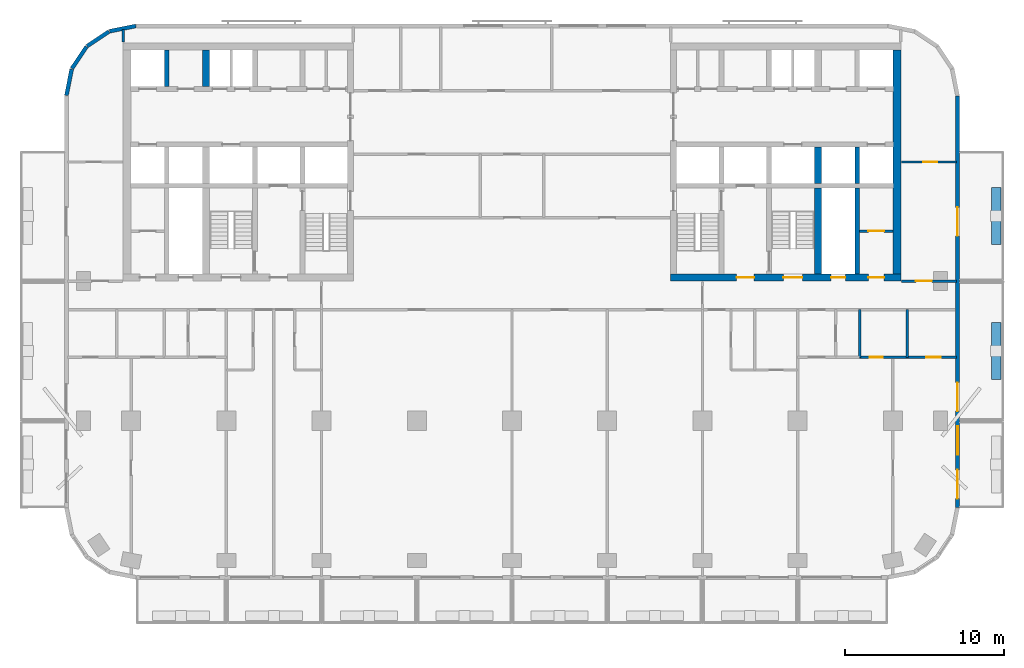
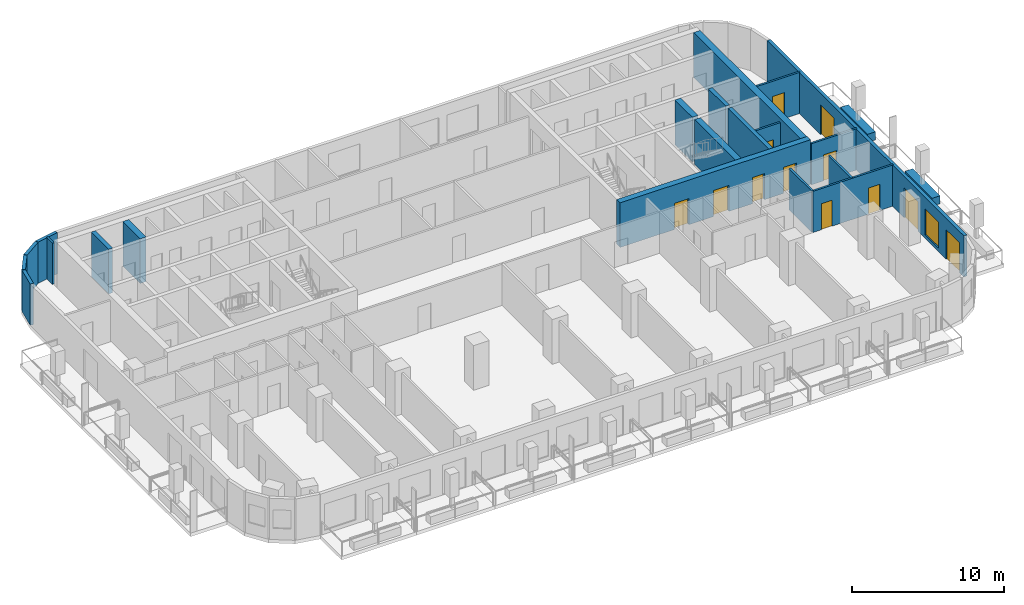
# One storey, part 6 of 12: 22 walls, 12 doors, 1 window, 13 openings.
"""IFC4 building model written with IfcOpenShell, lengths in metres."""

from ifc_helpers import new_model, si_unit, direction, frame, frame_2d, origin, place, context, subcontext, project, spatial, rectangle, extrude, material, layer, layer_set, type_object, element, fill, save


model = new_model("IFC4")

# Units and contexts
model_context = context("Model", 3, precision=1e-05, world=origin(), true_north=direction((0.0, 1.0)))
body_context = subcontext(model_context, "Body", "Model", "MODEL_VIEW")
ifc_project = project(units=[si_unit("LENGTHUNIT", "METRE"), si_unit("AREAUNIT", "SQUARE_METRE"), si_unit("VOLUMEUNIT", "CUBIC_METRE"), si_unit("PLANEANGLEUNIT", "RADIAN"), si_unit("MASSUNIT", "GRAM", prefix="KILO")], contexts=[model_context])

# Site, building, storey
site_placement = place(None, origin())
site = spatial("IfcSite", under=ifc_project, at=site_placement, CompositionType="ELEMENT")
building_placement = place(site_placement, origin())
building = spatial("IfcBuilding", under=site, at=building_placement, Name="Torana Hotel and Residences", CompositionType="ELEMENT")
storey_placement = place(building_placement, frame((0.0, 0.0, 112.800048828125)))
storey = spatial("IfcBuildingStorey", under=building, at=storey_placement, Name="L28", CompositionType="ELEMENT", Elevation=112.800048828125)

# Walls
ifc_material_1 = material(Name="Concrete C70/85", Category="concrete")
ifc_layer_1 = layer(ifc_material_1, 0.300048828125)
ifc_layer_set_1 = layer_set([ifc_layer_1], Name="CORE WALL 300 C70/85")
wall_type_1 = type_object("IfcWallType", Name="CORE WALL 300 C70/85", PredefinedType="SHEAR", material=ifc_layer_set_1)
for number, where, z_axis, x_axis, name in (
    (1, (-21.75, -2.75, 0.0), (0.0, 0.0, 1.0), (0.0, 1.0, 0.0), "Core wall W mm-N"),
    (2, (21.75, -8.85009765625, 0.0), (0.0, 0.0, 1.0), (0.0, 1.0, 0.0), "Core wall E mm-S"),
):
    element("IfcWall", number, at=place(storey_placement, frame(where, z_axis=z_axis, x_axis=x_axis)), inside=storey, type_object=wall_type_1, Name=name, PredefinedType="SHEAR", context=body_context, shape_type="SweptSolid", body=[
        extrude(rectangle(XDim=2.300048828125, YDim=0.300048828125, at=frame_2d((1.14990234375, 0.0))), origin(), (0.0, 0.0, 1.0), 3.599853515625),
    ])
wall_1_placement = place(storey_placement, frame((21.75, -14.550048828125, 0.0), z_axis=(0.0, 0.0, 1.0), x_axis=(0.0, 1.0, 0.0)))
element("IfcWall", 3, at=wall_1_placement, inside=storey, type_object=wall_type_1, Name="Core wall E mm-band", PredefinedType="SHEAR", context=body_context, shape_type="SweptSolid", body=[
    extrude(rectangle(XDim=5.400146484375, YDim=0.300048828125, at=frame_2d((2.7001953125, 0.0))), origin(), (0.0, 0.0, 1.0), 3.599853515625),
])
ifc_material_2 = material(Name="Concrete C70/85", Category="concrete")
ifc_layer_2 = layer(ifc_material_2, 0.449951171875)
ifc_layer_set_2 = layer_set([ifc_layer_2], Name="CORE WALL 450 C70/85")
wall_type_2 = type_object("IfcWallType", Name="CORE WALL 450 C70/85", PredefinedType="SHEAR", material=ifc_layer_set_2)
wall_2_placement = place(storey_placement, frame((-19.27490234375, -2.75, 0.0), z_axis=(0.0, 0.0, 1.0), x_axis=(0.0, 1.0, 0.0)))
element("IfcWall", 4, at=wall_2_placement, inside=storey, type_object=wall_type_2, Name="Core wall W hm-N", PredefinedType="SHEAR", context=body_context, shape_type="SweptSolid", body=[
    extrude(rectangle(XDim=2.300048828125, YDim=0.449951171875, at=frame_2d((1.14990234375, 0.0))), origin(), (0.0, 0.0, 1.0), 3.599853515625),
])

# Wall, openings, doors
wall_3_placement = place(storey_placement, frame((10.0, -14.77490234375, 0.0), z_axis=(0.0, 0.0, 1.0), x_axis=(1.0, 0.0, 0.0)))
wall_3 = element("IfcWall", 5, at=wall_3_placement, inside=storey, type_object=wall_type_2, Name="Core wall E front", PredefinedType="SHEAR", context=body_context, shape_type="SweptSolid", body=[
    extrude(rectangle(XDim=14.5, YDim=0.449951171875, at=frame_2d((7.25, 0.0))), origin(), (0.0, 0.0, 1.0), 3.599853515625),
])
opening_1_placement = place(wall_3_placement, frame((7.10009765625, 0.0, 0.0)))
opening_1 = element("IfcOpeningElement", 6, at=opening_1_placement, cuts=wall_3, Name="Opening L28-19", PredefinedType="OPENING", context=body_context, shape_type="SweptSolid", body=[
    extrude(rectangle(XDim=1.199951171875, YDim=2.10009765625, at=frame_2d((0.60009765625, 1.050048828125))), frame((0.0, 0.23486328125, 0.0), z_axis=(0.0, -1.0, 0.0), x_axis=(1.0, 0.0, 0.0)), (0.0, 0.0, 1.0), 0.469970703125),
])
opening_2_placement = place(wall_3_placement, frame((4.14990234375, 0.0, 0.0)))
opening_2 = element("IfcOpeningElement", 7, at=opening_2_placement, cuts=wall_3, Name="Opening L28-20", PredefinedType="OPENING", context=body_context, shape_type="SweptSolid", body=[
    extrude(rectangle(XDim=1.10009765625, YDim=2.10009765625, at=frame_2d((0.550048828125, 1.050048828125))), frame((0.0, 0.23486328125, 0.0), z_axis=(0.0, -1.0, 0.0), x_axis=(1.0, 0.0, 0.0)), (0.0, 0.0, 1.0), 0.469970703125),
])
opening_3_placement = place(wall_3_placement, frame((10.10009765625, 0.0, 0.0)))
opening_3 = element("IfcOpeningElement", 8, at=opening_3_placement, cuts=wall_3, Name="Opening L28-21", PredefinedType="OPENING", context=body_context, shape_type="SweptSolid", body=[
    extrude(rectangle(XDim=0.89990234375, YDim=2.10009765625, at=frame_2d((0.449951171875, 1.050048828125))), frame((0.0, 0.23486328125, 0.0), z_axis=(0.0, -1.0, 0.0), x_axis=(1.0, 0.0, 0.0)), (0.0, 0.0, 1.0), 0.469970703125),
])
opening_4_placement = place(wall_3_placement, frame((12.449951171875, 0.0, 0.0)))
opening_4 = element("IfcOpeningElement", 9, at=opening_4_placement, cuts=wall_3, Name="Opening L28-22", PredefinedType="OPENING", context=body_context, shape_type="SweptSolid", body=[
    extrude(rectangle(XDim=1.0, YDim=2.10009765625, at=frame_2d((0.5, 1.050048828125))), frame((0.0, 0.23486328125, 0.0), z_axis=(0.0, -1.0, 0.0), x_axis=(1.0, 0.0, 0.0)), (0.0, 0.0, 1.0), 0.469970703125),
])
ifc_material_3 = material(Name="Steel S235", Category="steel")
door_type_1 = type_object("IfcDoorType", Name="CORE ROOM FIRE DOOR D14 1000x2100", OperationType="SINGLE_SWING_LEFT", PredefinedType="DOOR", material=ifc_material_3)
door_1_placement = place(opening_4_placement, origin())
door_1 = element("IfcDoor", 10, at=door_1_placement, inside=storey, type_object=door_type_1, Name="M-Room-B door L28", OperationType="SINGLE_SWING_RIGHT", OverallHeight=2.10009765625, OverallWidth=1.0, PredefinedType="DOOR", context=body_context, shape_type="SweptSolid", body=[
    extrude(rectangle(XDim=1.0, YDim=2.10009765625, at=frame_2d((0.5, 1.050048828125))), frame((0.0, 0.02490234375, 0.0), z_axis=(0.0, -1.0, 0.0), x_axis=(1.0, 0.0, 0.0)), (0.0, 0.0, 1.0), 0.050048828125),
])
fill(opening_4, door_1)
ifc_material_4 = material(Name="Steel S235", Category="steel")
door_type_2 = type_object("IfcDoorType", Name="FIRE-FIGHTING LOBBY DOOR D8 1100x2100", OperationType="SINGLE_SWING_LEFT", PredefinedType="DOOR", material=ifc_material_4)
door_2_placement = place(opening_2_placement, origin())
door_2 = element("IfcDoor", 11, at=door_2_placement, inside=storey, type_object=door_type_2, Name="FF-lobby door L28", OperationType="SINGLE_SWING_RIGHT", OverallHeight=2.10009765625, OverallWidth=1.10009765625, PredefinedType="DOOR", context=body_context, shape_type="SweptSolid", body=[
    extrude(rectangle(XDim=1.10009765625, YDim=2.10009765625, at=frame_2d((0.550048828125, 1.050048828125))), frame((0.0, 0.02490234375, 0.0), z_axis=(0.0, -1.0, 0.0), x_axis=(1.0, 0.0, 0.0)), (0.0, 0.0, 1.0), 0.050048828125),
])
fill(opening_2, door_2)
ifc_material_5 = material(Name="Steel S235", Category="steel")
door_type_3 = type_object("IfcDoorType", Name="RISER ACCESS DOOR D5 900x2100", OperationType="SINGLE_SWING_LEFT", PredefinedType="DOOR", material=ifc_material_5)
door_3_placement = place(opening_3_placement, origin())
door_3 = element("IfcDoor", 12, at=door_3_placement, inside=storey, type_object=door_type_3, Name="M-Riser door L28", OperationType="SINGLE_SWING_RIGHT", OverallHeight=2.10009765625, OverallWidth=0.89990234375, PredefinedType="DOOR", context=body_context, shape_type="SweptSolid", body=[
    extrude(rectangle(XDim=0.89990234375, YDim=2.10009765625, at=frame_2d((0.449951171875, 1.050048828125))), frame((0.0, 0.02490234375, 0.0), z_axis=(0.0, -1.0, 0.0), x_axis=(1.0, 0.0, 0.0)), (0.0, 0.0, 1.0), 0.050048828125),
])
fill(opening_3, door_3)
ifc_material_6 = material(Name="Steel S235", Category="steel")
door_type_4 = type_object("IfcDoorType", Name="STAIR FIRE DOOR D3 1200x2100", OperationType="SINGLE_SWING_LEFT", PredefinedType="DOOR", material=ifc_material_6)
door_4_placement = place(opening_1_placement, origin())
door_4 = element("IfcDoor", 13, at=door_4_placement, inside=storey, type_object=door_type_4, Name="Stair-B door L28", OperationType="SINGLE_SWING_RIGHT", OverallHeight=2.10009765625, OverallWidth=1.199951171875, PredefinedType="DOOR", context=body_context, shape_type="SweptSolid", body=[
    extrude(rectangle(XDim=1.199951171875, YDim=2.10009765625, at=frame_2d((0.60009765625, 1.050048828125))), frame((0.0, 0.02490234375, 0.0), z_axis=(0.0, -1.0, 0.0), x_axis=(1.0, 0.0, 0.0)), (0.0, 0.0, 1.0), 0.050048828125),
])
fill(opening_1, door_4)

# Walls
wall_4_placement = place(storey_placement, frame((19.27490234375, -8.85009765625, 0.0), z_axis=(0.0, 0.0, 1.0), x_axis=(0.0, 1.0, 0.0)))
element("IfcWall", 14, at=wall_4_placement, inside=storey, type_object=wall_type_2, Name="Core wall E hm-S", PredefinedType="SHEAR", context=body_context, shape_type="SweptSolid", body=[
    extrude(rectangle(XDim=2.300048828125, YDim=0.449951171875, at=frame_2d((1.14990234375, 0.0))), origin(), (0.0, 0.0, 1.0), 3.599853515625),
])
wall_5_placement = place(storey_placement, frame((19.27490234375, -14.550048828125, 0.0), z_axis=(0.0, 0.0, 1.0), x_axis=(0.0, 1.0, 0.0)))
element("IfcWall", 15, at=wall_5_placement, inside=storey, type_object=wall_type_2, Name="Core wall E hm-band", PredefinedType="SHEAR", context=body_context, shape_type="SweptSolid", body=[
    extrude(rectangle(XDim=5.400146484375, YDim=0.449951171875, at=frame_2d((2.7001953125, 0.0))), origin(), (0.0, 0.0, 1.0), 3.599853515625),
])
ifc_material_7 = material(Name="Concrete C70/85", Category="concrete")
ifc_layer_3 = layer(ifc_material_7, 0.5)
ifc_layer_set_3 = layer_set([ifc_layer_3], Name="CORE WALL 500 C70/85")
wall_type_3 = type_object("IfcWallType", Name="CORE WALL 500 C70/85", PredefinedType="SHEAR", material=ifc_layer_set_3)
wall_6_placement = place(storey_placement, frame((24.25, -14.550048828125, 0.0), z_axis=(0.0, 0.0, 1.0), x_axis=(0.0, 1.0, 0.0)))
element("IfcWall", 16, at=wall_6_placement, inside=storey, type_object=wall_type_3, Name="Core wall E outer", PredefinedType="SHEAR", context=body_context, shape_type="SweptSolid", body=[
    extrude(rectangle(XDim=14.10009765625, YDim=0.5, at=frame_2d((7.050048828125, 0.0))), origin(), (0.0, 0.0, 1.0), 3.599853515625),
])
ifc_material_8 = material(Name="Black aluminium composite panel", Category="aluminium")
ifc_layer_4 = layer(ifc_material_8, 0.00390625, Name="Cladding", Category="cladding")
ifc_material_9 = material(Name="Ventilated air cavity")
ifc_layer_5 = layer(ifc_material_9, 0.0400390625, Name="Ventilated cavity", Category="cavity")
ifc_material_10 = material(Name="Mineral wool insulation")
ifc_layer_6 = layer(ifc_material_10, 0.090087890625, Name="Insulation", Category="insulation")
ifc_material_11 = material(Name="Steel S280GD", Category="steel")
ifc_layer_7 = layer(ifc_material_11, 0.092041015625, Name="Steel stud frame", Category="structure")
ifc_material_12 = material(Name="Fire rated plasterboard")
ifc_layer_8 = layer(ifc_material_12, 0.011962890625, Name="Inner board", Category="finish")
ifc_layer_9 = layer(ifc_material_12, 0.011962890625, Name="Second board", Category="finish")
ifc_layer_set_4 = layer_set([ifc_layer_4, ifc_layer_5, ifc_layer_6, ifc_layer_7, ifc_layer_8, ifc_layer_9], Name="EW1 EXTERNAL WALL BLACK METAL CLAD 250")
wall_type_4 = type_object("IfcWallType", Name="EW1 EXTERNAL WALL BLACK METAL CLAD 250", PredefinedType="SOLIDWALL", material=ifc_layer_set_4)
wall_7_placement = place(storey_placement, frame((-23.69970703125, 1.072509765625, 0.0), z_axis=(0.0, 0.0, 1.0), x_axis=(-0.980803419081, -0.194999110559, 0.0)))
element("IfcWall", 17, at=wall_7_placement, inside=storey, type_object=wall_type_4, Name="External wall L28 e0.5", PredefinedType="SOLIDWALL", context=body_context, shape_type="SweptSolid", body=[
    extrude(rectangle(XDim=1.681396484375, YDim=0.25, at=frame_2d((0.8408203125, 0.0))), origin(), (0.0, 0.0, 1.0), 3.320068359375),
])
for number, where, z_axis, x_axis, name in (
    (18, (-25.39404296875, 0.725830078125, 0.0), (0.0, 0.0, 1.0), (-0.831482937015, -0.55555029066, 0.0), "External wall L28 e0.6"),
    (19, (-26.8056640625, -0.228759765625, 0.0), (0.0, 0.0, 1.0), (-0.55555029066, -0.831482937015, 0.0), "External wall L28 e0.7"),
):
    element("IfcWall", number, at=place(storey_placement, frame(where, z_axis=z_axis, x_axis=x_axis)), inside=storey, type_object=wall_type_4, Name=name, PredefinedType="SOLIDWALL", context=body_context, shape_type="SweptSolid", body=[
        extrude(rectangle(XDim=1.65625, YDim=0.25, at=frame_2d((0.828125, 0.0))), origin(), (0.0, 0.0, 1.0), 3.320068359375),
    ])
wall_8_placement = place(storey_placement, frame((-27.74462890625, -1.651123046875, 0.0), z_axis=(0.0, 0.0, 1.0), x_axis=(-0.194999110559, -0.980803419081, 0.0)))
element("IfcWall", 20, at=wall_8_placement, inside=storey, type_object=wall_type_4, Name="External wall L28 e0.8", PredefinedType="SOLIDWALL", context=body_context, shape_type="SweptSolid", body=[
    extrude(rectangle(XDim=1.681396484375, YDim=0.25, at=frame_2d((0.8408203125, 0.0))), origin(), (0.0, 0.0, 1.0), 3.320068359375),
])

# Wall, openings, doors, window
wall_9_placement = place(storey_placement, frame((28.074951171875, -29.275390625, 0.0), z_axis=(0.0, 0.0, 1.0), x_axis=(0.0, 1.0, 0.0)))
wall_9 = element("IfcWall", 21, at=wall_9_placement, inside=storey, type_object=wall_type_4, Name="External wall L28 e0.19", PredefinedType="SOLIDWALL", context=body_context, shape_type="SweptSolid", body=[
    extrude(rectangle(XDim=25.95068359375, YDim=0.25, at=frame_2d((12.975341796875, 0.0))), origin(), (0.0, 0.0, 1.0), 3.320068359375),
])
opening_5_placement = place(wall_9_placement, frame((0.575439453125, 0.0, 0.0)))
opening_5 = element("IfcOpeningElement", 22, at=opening_5_placement, cuts=wall_9, Name="Opening L28-E09", PredefinedType="OPENING", context=body_context, shape_type="SweptSolid", body=[
    extrude(rectangle(XDim=1.800048828125, YDim=2.39990234375, at=frame_2d((0.89990234375, 1.199951171875))), frame((0.0, 0.135009765625, 0.0), z_axis=(0.0, -1.0, 0.0), x_axis=(1.0, 0.0, 0.0)), (0.0, 0.0, 1.0), 0.27001953125),
])
opening_6_placement = place(wall_9_placement, frame((3.325439453125, 0.0, 0.300048828125)))
opening_6 = element("IfcOpeningElement", 23, at=opening_6_placement, cuts=wall_9, Name="Opening W2", PredefinedType="OPENING", context=body_context, shape_type="SweptSolid", body=[
    extrude(rectangle(XDim=1.800048828125, YDim=2.10009765625, at=frame_2d((0.89990234375, 1.050048828125))), frame((0.0, 0.135009765625, 0.0), z_axis=(0.0, -1.0, 0.0), x_axis=(1.0, 0.0, 0.0)), (0.0, 0.0, 1.0), 0.27001953125),
])
opening_7_placement = place(wall_9_placement, frame((6.075439453125, 0.0, 0.0)))
opening_7 = element("IfcOpeningElement", 24, at=opening_7_placement, cuts=wall_9, Name="Opening L28-E10", PredefinedType="OPENING", context=body_context, shape_type="SweptSolid", body=[
    extrude(rectangle(XDim=1.800048828125, YDim=2.39990234375, at=frame_2d((0.89990234375, 1.199951171875))), frame((0.0, 0.135009765625, 0.0), z_axis=(0.0, -1.0, 0.0), x_axis=(1.0, 0.0, 0.0)), (0.0, 0.0, 1.0), 0.27001953125),
])
opening_8_placement = place(wall_9_placement, frame((17.12548828125, 0.0, 0.0)))
opening_8 = element("IfcOpeningElement", 25, at=opening_8_placement, cuts=wall_9, Name="Opening L28-E11", PredefinedType="OPENING", context=body_context, shape_type="SweptSolid", body=[
    extrude(rectangle(XDim=1.800048828125, YDim=2.39990234375, at=frame_2d((0.89990234375, 1.199951171875))), frame((0.0, 0.135009765625, 0.0), z_axis=(0.0, -1.0, 0.0), x_axis=(1.0, 0.0, 0.0)), (0.0, 0.0, 1.0), 0.27001953125),
])
ifc_material_13 = material(Name="Dark glass in black aluminium frame", Category="aluminium")
door_type_5 = type_object("IfcDoorType", Name="DB1 BALCONY DOOR 1800x2400", OperationType="DOUBLE_DOOR_SINGLE_SWING", PredefinedType="DOOR", material=ifc_material_13)
door_5_placement = place(opening_5_placement, origin())
door_5 = element("IfcDoor", 26, at=door_5_placement, inside=storey, type_object=door_type_5, Name="Balcony door L28", OperationType="DOUBLE_DOOR_SINGLE_SWING", OverallHeight=2.39990234375, OverallWidth=1.800048828125, PredefinedType="DOOR", context=body_context, shape_type="SweptSolid", body=[
    extrude(rectangle(XDim=1.800048828125, YDim=2.39990234375, at=frame_2d((0.89990234375, 1.199951171875))), frame((0.0, 0.02490234375, 0.0), z_axis=(0.0, -1.0, 0.0), x_axis=(1.0, 0.0, 0.0)), (0.0, 0.0, 1.0), 0.050048828125),
])
fill(opening_5, door_5)
door_6_placement = place(opening_7_placement, origin())
door_6 = element("IfcDoor", 27, at=door_6_placement, inside=storey, type_object=door_type_5, Name="Balcony door L28", OperationType="DOUBLE_DOOR_SINGLE_SWING", OverallHeight=2.39990234375, OverallWidth=1.800048828125, PredefinedType="DOOR", context=body_context, shape_type="SweptSolid", body=[
    extrude(rectangle(XDim=1.800048828125, YDim=2.39990234375, at=frame_2d((0.89990234375, 1.199951171875))), frame((0.0, 0.02490234375, 0.0), z_axis=(0.0, -1.0, 0.0), x_axis=(1.0, 0.0, 0.0)), (0.0, 0.0, 1.0), 0.050048828125),
])
fill(opening_7, door_6)
door_7_placement = place(opening_8_placement, origin())
door_7 = element("IfcDoor", 28, at=door_7_placement, inside=storey, type_object=door_type_5, Name="Balcony door L28", OperationType="DOUBLE_DOOR_SINGLE_SWING", OverallHeight=2.39990234375, OverallWidth=1.800048828125, PredefinedType="DOOR", context=body_context, shape_type="SweptSolid", body=[
    extrude(rectangle(XDim=1.800048828125, YDim=2.39990234375, at=frame_2d((0.89990234375, 1.199951171875))), frame((0.0, 0.02490234375, 0.0), z_axis=(0.0, -1.0, 0.0), x_axis=(1.0, 0.0, 0.0)), (0.0, 0.0, 1.0), 0.050048828125),
])
fill(opening_8, door_7)
ifc_material_14 = material(Name="Dark glass in black aluminium frame", Category="aluminium")
window_type = type_object("IfcWindowType", Name="W2 HOTEL ROOM WINDOW NARROW 1800x2100", PartitioningType="SINGLE_PANEL", PredefinedType="WINDOW", material=ifc_material_14)
window_placement = place(opening_6_placement, origin())
window = element("IfcWindow", 29, at=window_placement, inside=storey, type_object=window_type, Name="Window L28", OverallHeight=2.10009765625, OverallWidth=1.800048828125, PartitioningType="SINGLE_PANEL", PredefinedType="WINDOW", context=body_context, shape_type="SweptSolid", body=[
    extrude(rectangle(XDim=1.800048828125, YDim=2.10009765625, at=frame_2d((0.89990234375, 1.050048828125))), frame((0.0, 0.030029296875, 0.0), z_axis=(0.0, -1.0, 0.0), x_axis=(1.0, 0.0, 0.0)), (0.0, 0.0, 1.0), 0.06005859375),
])
fill(opening_6, window)

# Wall, opening, door
ifc_material_15 = material(Name="Gypsum plaster")
ifc_layer_10 = layer(ifc_material_15, 0.014892578125, Name="Plaster", Category="finish")
ifc_material_16 = material(Name="Concrete blockwork", Category="masonry")
ifc_layer_11 = layer(ifc_material_16, 0.1201171875, Name="Blockwork", Category="structure")
ifc_layer_12 = layer(ifc_material_15, 0.014892578125, Name="Plaster", Category="finish")
ifc_layer_set_5 = layer_set([ifc_layer_10, ifc_layer_11, ifc_layer_12], Name="FIRE PARTITION 150 BLOCKWORK")
wall_type_5 = type_object("IfcWallType", Name="FIRE PARTITION 150 BLOCKWORK", PredefinedType="PARTITIONING", material=ifc_layer_set_5)
wall_10_placement = place(storey_placement, frame((21.89990234375, -11.85009765625, 0.0), z_axis=(0.0, 0.0, 1.0), x_axis=(1.0, 0.0, 0.0)))
wall_10 = element("IfcWall", 30, at=wall_10_placement, inside=storey, type_object=wall_type_5, Name="Core partition L28", PredefinedType="PARTITIONING", context=body_context, shape_type="SweptSolid", body=[
    extrude(rectangle(XDim=2.10009765625, YDim=0.14990234375, at=frame_2d((1.050048828125, 0.0))), origin(), (0.0, 0.0, 1.0), 3.300048828125),
])
opening_9_placement = place(wall_10_placement, frame((0.550048828125, 0.0, 0.0)))
opening_9 = element("IfcOpeningElement", 31, at=opening_9_placement, cuts=wall_10, Name="Opening L28-32", PredefinedType="OPENING", context=body_context, shape_type="SweptSolid", body=[
    extrude(rectangle(XDim=1.0, YDim=2.10009765625, at=frame_2d((0.5, 1.050048828125))), frame((0.0, 0.0849609375, 0.0), z_axis=(0.0, -1.0, 0.0), x_axis=(1.0, 0.0, 0.0)), (0.0, 0.0, 1.0), 0.169921875),
])
door_8_placement = place(opening_9_placement, origin())
door_8 = element("IfcDoor", 32, at=door_8_placement, inside=storey, type_object=door_type_1, Name="Plant room door L28", OperationType="SINGLE_SWING_RIGHT", OverallHeight=2.10009765625, OverallWidth=1.0, PredefinedType="DOOR", context=body_context, shape_type="SweptSolid", body=[
    extrude(rectangle(XDim=1.0, YDim=2.10009765625, at=frame_2d((0.5, 1.050048828125))), frame((0.0, 0.02490234375, 0.0), z_axis=(0.0, -1.0, 0.0), x_axis=(1.0, 0.0, 0.0)), (0.0, 0.0, 1.0), 0.050048828125),
])
fill(opening_9, door_8)

wall_11_placement = place(storey_placement, frame((24.550048828125, -15.0, 0.0), z_axis=(0.0, 0.0, 1.0), x_axis=(1.0, 0.0, 0.0)))
wall_11 = element("IfcWall", 33, at=wall_11_placement, inside=storey, type_object=wall_type_5, Name="Partition L28", PredefinedType="PARTITIONING", context=body_context, shape_type="SweptSolid", body=[
    extrude(rectangle(XDim=3.469970703125, YDim=0.14990234375, at=frame_2d((1.73486328125, 0.0))), origin(), (0.0, 0.0, 1.0), 3.320068359375),
])
opening_10_placement = place(wall_11_placement, frame((0.89990234375, 0.0, 0.0)))
opening_10 = element("IfcOpeningElement", 34, at=opening_10_placement, cuts=wall_11, Name="Opening L28-41", PredefinedType="OPENING", context=body_context, shape_type="SweptSolid", body=[
    extrude(rectangle(XDim=1.0, YDim=2.10009765625, at=frame_2d((0.5, 1.050048828125))), frame((0.0, 0.0849609375, 0.0), z_axis=(0.0, -1.0, 0.0), x_axis=(1.0, 0.0, 0.0)), (0.0, 0.0, 1.0), 0.169921875),
])
door_9_placement = place(opening_10_placement, origin())
door_9 = element("IfcDoor", 35, at=door_9_placement, inside=storey, type_object=door_type_1, Name="Door L28", OperationType="SINGLE_SWING_LEFT", OverallHeight=2.10009765625, OverallWidth=1.0, PredefinedType="DOOR", context=body_context, shape_type="SweptSolid", body=[
    extrude(rectangle(XDim=1.0, YDim=2.10009765625, at=frame_2d((0.5, 1.050048828125))), frame((0.0, 0.02490234375, 0.0), z_axis=(0.0, -1.0, 0.0), x_axis=(1.0, 0.0, 0.0)), (0.0, 0.0, 1.0), 0.050048828125),
])
fill(opening_10, door_9)

# Walls
ifc_material_17 = material(Name="Gypsum plasterboard")
ifc_layer_13 = layer(ifc_material_17, 0.012451171875, Name="Plasterboard", Category="finish")
ifc_layer_14 = layer(ifc_material_17, 0.012451171875, Name="Plasterboard", Category="finish")
ifc_layer_15 = layer(ifc_material_11, 0.10009765625, Name="Steel studs with mineral wool", Category="insulation")
ifc_layer_16 = layer(ifc_material_17, 0.012451171875, Name="Plasterboard", Category="finish")
ifc_layer_17 = layer(ifc_material_17, 0.012451171875, Name="Plasterboard", Category="finish")
ifc_layer_set_6 = layer_set([ifc_layer_13, ifc_layer_14, ifc_layer_15, ifc_layer_16, ifc_layer_17], Name="PARTITION 150 PLASTERBOARD")
wall_type_6 = type_object("IfcWallType", Name="PARTITION 150 PLASTERBOARD", PredefinedType="PARTITIONING", material=ifc_layer_set_6)
wall_12_placement = place(storey_placement, frame((24.89990234375, -19.800048828125, 0.0), z_axis=(0.0, 0.0, 1.0), x_axis=(0.0, 1.0, 0.0)))
element("IfcWall", 36, at=wall_12_placement, inside=storey, type_object=wall_type_6, Name="Partition L28", PredefinedType="PARTITIONING", context=body_context, shape_type="SweptSolid", body=[
    extrude(rectangle(XDim=3.0, YDim=0.14990234375, at=frame_2d((1.5, 0.0))), origin(), (0.0, 0.0, 1.0), 3.320068359375),
])
wall_13_placement = place(storey_placement, frame((-24.5, 0.050048828125, 0.0), z_axis=(0.0, 0.0, 1.0), x_axis=(0.0, 1.0, 0.0)))
element("IfcWall", 37, at=wall_13_placement, inside=storey, type_object=wall_type_6, Name="Partition L28", PredefinedType="PARTITIONING", context=body_context, shape_type="SweptSolid", body=[
    extrude(rectangle(XDim=0.807373046875, YDim=0.14990234375, at=frame_2d((0.40380859375, 0.0))), origin(), (0.0, 0.0, 1.0), 3.320068359375),
])

# Wall, openings, doors
wall_14_placement = place(storey_placement, frame((21.89990234375, -19.800048828125, 0.0), z_axis=(0.0, 0.0, 1.0), x_axis=(1.0, 0.0, 0.0)))
wall_14 = element("IfcWall", 38, at=wall_14_placement, inside=storey, type_object=wall_type_6, Name="Partition L28", PredefinedType="PARTITIONING", context=body_context, shape_type="SweptSolid", body=[
    extrude(rectangle(XDim=6.1201171875, YDim=0.14990234375, at=frame_2d((3.06005859375, 0.0))), origin(), (0.0, 0.0, 1.0), 3.320068359375),
])
opening_11_placement = place(wall_14_placement, frame((0.64990234375, 0.0, 0.0)))
opening_11 = element("IfcOpeningElement", 39, at=opening_11_placement, cuts=wall_14, Name="Opening L28-64", PredefinedType="OPENING", context=body_context, shape_type="SweptSolid", body=[
    extrude(rectangle(XDim=0.800048828125, YDim=2.10009765625, at=frame_2d((0.39990234375, 1.050048828125))), frame((0.0, 0.0849609375, 0.0), z_axis=(0.0, -1.0, 0.0), x_axis=(1.0, 0.0, 0.0)), (0.0, 0.0, 1.0), 0.169921875),
])
opening_12_placement = place(wall_14_placement, frame((4.199951171875, 0.0, 0.0)))
opening_12 = element("IfcOpeningElement", 40, at=opening_12_placement, cuts=wall_14, Name="Opening L28-65", PredefinedType="OPENING", context=body_context, shape_type="SweptSolid", body=[
    extrude(rectangle(XDim=0.89990234375, YDim=2.10009765625, at=frame_2d((0.449951171875, 1.050048828125))), frame((0.0, 0.0849609375, 0.0), z_axis=(0.0, -1.0, 0.0), x_axis=(1.0, 0.0, 0.0)), (0.0, 0.0, 1.0), 0.169921875),
])
ifc_material_18 = material(Name="Timber door, painted", Category="wood")
door_type_6 = type_object("IfcDoorType", Name="BATH DOOR D13 800x2100", OperationType="SINGLE_SWING_LEFT", PredefinedType="DOOR", material=ifc_material_18)
door_10_placement = place(opening_11_placement, origin())
door_10 = element("IfcDoor", 41, at=door_10_placement, inside=storey, type_object=door_type_6, Name="Door L28", OperationType="SINGLE_SWING_RIGHT", OverallHeight=2.10009765625, OverallWidth=0.800048828125, PredefinedType="DOOR", context=body_context, shape_type="SweptSolid", body=[
    extrude(rectangle(XDim=0.800048828125, YDim=2.10009765625, at=frame_2d((0.39990234375, 1.050048828125))), frame((0.0, 0.02490234375, 0.0), z_axis=(0.0, -1.0, 0.0), x_axis=(1.0, 0.0, 0.0)), (0.0, 0.0, 1.0), 0.050048828125),
])
fill(opening_11, door_10)
ifc_material_19 = material(Name="Timber door, oiled ash", Category="wood")
door_type_7 = type_object("IfcDoorType", Name="ROOM DOOR D7 900x2100", OperationType="SINGLE_SWING_LEFT", PredefinedType="DOOR", material=ifc_material_19)
door_11_placement = place(opening_12_placement, origin())
door_11 = element("IfcDoor", 42, at=door_11_placement, inside=storey, type_object=door_type_7, Name="Door L28", OperationType="SINGLE_SWING_LEFT", OverallHeight=2.10009765625, OverallWidth=0.89990234375, PredefinedType="DOOR", context=body_context, shape_type="SweptSolid", body=[
    extrude(rectangle(XDim=0.89990234375, YDim=2.10009765625, at=frame_2d((0.449951171875, 1.050048828125))), frame((0.0, 0.02490234375, 0.0), z_axis=(0.0, -1.0, 0.0), x_axis=(1.0, 0.0, 0.0)), (0.0, 0.0, 1.0), 0.050048828125),
])
fill(opening_12, door_11)

# Walls
ifc_material_20 = material(Name="Concrete C40/50 precast", Category="concrete")
ifc_layer_18 = layer(ifc_material_20, 0.10009765625, Name="Planter shell", Category="structure")
ifc_material_21 = material(Name="Root resistant membrane")
ifc_layer_19 = layer(ifc_material_21, 0.00390625, Name="Waterproofing membrane", Category="membrane")
ifc_material_22 = material(Name="Drainage board with filter fleece")
ifc_layer_20 = layer(ifc_material_22, 0.02001953125, Name="Drainage board", Category="drainage")
ifc_material_23 = material(Name="Growing medium")
ifc_layer_21 = layer(ifc_material_23, 0.47607421875, Name="Planting substrate", Category="soil")
ifc_layer_set_7 = layer_set([ifc_layer_18, ifc_layer_19, ifc_layer_20, ifc_layer_21], Name="PL1 BALCONY PLANTER 600")
wall_type_7 = type_object("IfcWallType", Name="PL1 BALCONY PLANTER 600", PredefinedType="USERDEFINED", material=ifc_layer_set_7)
for number, where, z_axis, x_axis, name in (
    (43, (30.5, -17.60009765625, 0.0), (0.0, 0.0, 1.0), (0.0, -1.0, 0.0), "Planter 13"),
    (44, (30.5, -9.10009765625, 0.0), (0.0, 0.0, 1.0), (0.0, -1.0, 0.0), "Planter 14"),
):
    element("IfcWall", number, at=place(storey_placement, frame(where, z_axis=z_axis, x_axis=x_axis)), inside=storey, type_object=wall_type_7, Name=name, ObjectType="PLANTER", PredefinedType="USERDEFINED", context=body_context, shape_type="SweptSolid", body=[
        extrude(rectangle(XDim=3.599853515625, YDim=0.60009765625, at=frame_2d((1.7998046875, 0.0))), origin(), (0.0, 0.0, 1.0), 0.64990234375),
    ])
ifc_material_24 = material(Name="Ceramic tile on adhesive")
ifc_layer_22 = layer(ifc_material_24, 0.010009765625, Name="Wall tile", Category="finish")
ifc_material_25 = material(Name="Cement render")
ifc_layer_23 = layer(ifc_material_25, 0.010009765625, Name="Render", Category="finish")
ifc_layer_24 = layer(ifc_material_16, 0.110107421875, Name="Blockwork", Category="structure")
ifc_layer_25 = layer(ifc_material_25, 0.010009765625, Name="Render", Category="finish")
ifc_layer_26 = layer(ifc_material_24, 0.010009765625, Name="Wall tile", Category="finish")
ifc_layer_set_8 = layer_set([ifc_layer_22, ifc_layer_23, ifc_layer_24, ifc_layer_25, ifc_layer_26], Name="WC PARTITION 150")
wall_type_8 = type_object("IfcWallType", Name="WC PARTITION 150", PredefinedType="PLUMBINGWALL", material=ifc_layer_set_8)
wall_15_placement = place(storey_placement, frame((21.89990234375, -19.800048828125, 0.0), z_axis=(0.0, 0.0, 1.0), x_axis=(0.0, 1.0, 0.0)))
element("IfcWall", 45, at=wall_15_placement, inside=storey, type_object=wall_type_8, Name="Partition L28", PredefinedType="PLUMBINGWALL", context=body_context, shape_type="SweptSolid", body=[
    extrude(rectangle(XDim=3.0, YDim=0.14990234375, at=frame_2d((1.5, 0.0))), origin(), (0.0, 0.0, 1.0), 3.320068359375),
])

# Wall, opening, door
wall_16_placement = place(storey_placement, frame((24.550048828125, -7.5, 0.0), z_axis=(0.0, 0.0, 1.0), x_axis=(1.0, 0.0, 0.0)))
wall_16 = element("IfcWall", 46, at=wall_16_placement, inside=storey, type_object=wall_type_8, Name="Partition L28", PredefinedType="PLUMBINGWALL", context=body_context, shape_type="SweptSolid", body=[
    extrude(rectangle(XDim=3.469970703125, YDim=0.14990234375, at=frame_2d((1.73486328125, 0.0))), origin(), (0.0, 0.0, 1.0), 3.320068359375),
])
opening_13_placement = place(wall_16_placement, frame((1.35009765625, 0.0, 0.0)))
opening_13 = element("IfcOpeningElement", 47, at=opening_13_placement, cuts=wall_16, Name="Opening L28-68", PredefinedType="OPENING", context=body_context, shape_type="SweptSolid", body=[
    extrude(rectangle(XDim=0.89990234375, YDim=2.10009765625, at=frame_2d((0.449951171875, 1.050048828125))), frame((0.0, 0.0849609375, 0.0), z_axis=(0.0, -1.0, 0.0), x_axis=(1.0, 0.0, 0.0)), (0.0, 0.0, 1.0), 0.169921875),
])
door_12_placement = place(opening_13_placement, origin())
door_12 = element("IfcDoor", 48, at=door_12_placement, inside=storey, type_object=door_type_7, Name="Door L28", OperationType="SINGLE_SWING_LEFT", OverallHeight=2.10009765625, OverallWidth=0.89990234375, PredefinedType="DOOR", context=body_context, shape_type="SweptSolid", body=[
    extrude(rectangle(XDim=0.89990234375, YDim=2.10009765625, at=frame_2d((0.449951171875, 1.050048828125))), frame((0.0, 0.02490234375, 0.0), z_axis=(0.0, -1.0, 0.0), x_axis=(1.0, 0.0, 0.0)), (0.0, 0.0, 1.0), 0.050048828125),
])
fill(opening_13, door_12)

save(model, "model.ifc")
